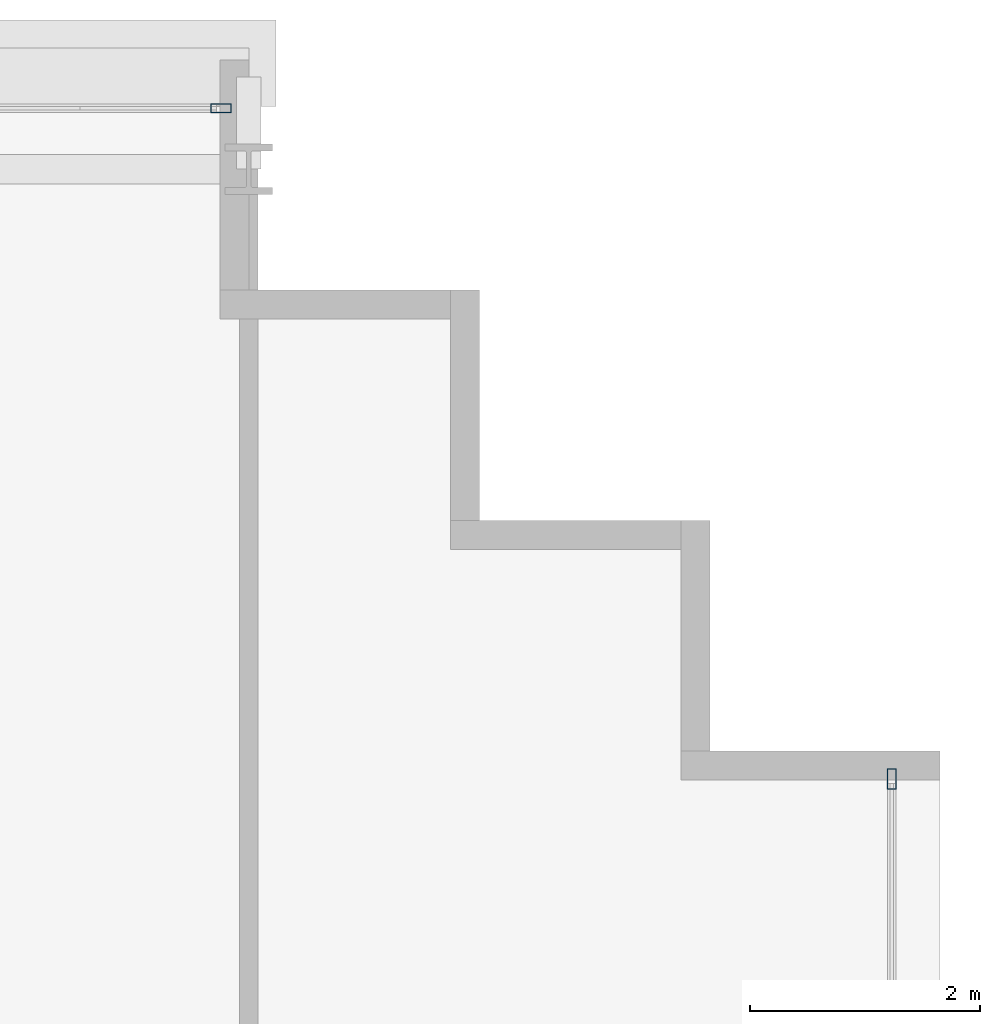
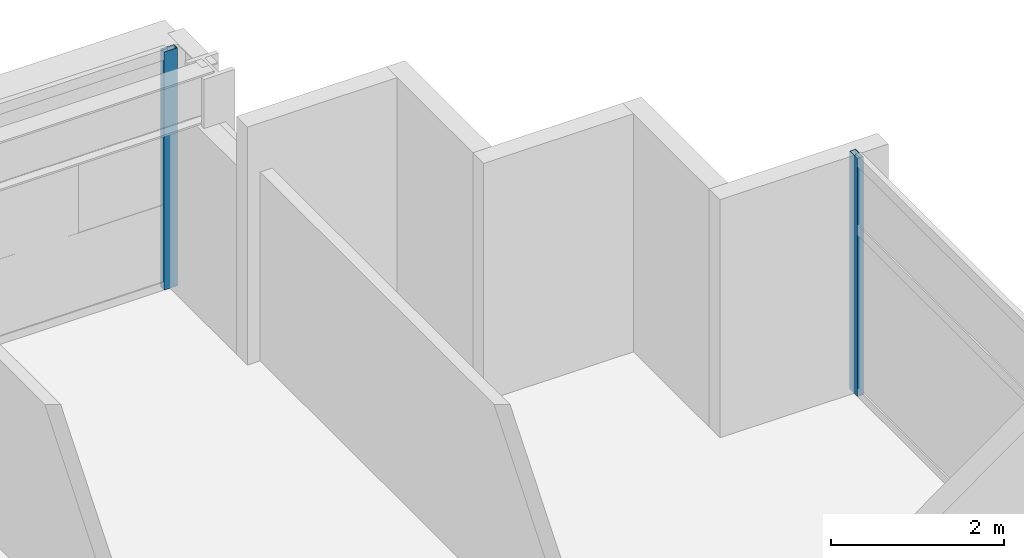
# One storey, part 22 of 36: 2 members, 2 elements without a shape of their own.
"""IFC4 building model written with IfcOpenShell, lengths in metres."""

from ifc_helpers import new_model, si_unit, direction, frame, origin, origin_2d, place, context, subcontext, project, spatial, hollow_rectangle, extrude, source, transform, mapped, material, layer, layer_set, material_profile, profile_set, type_object, element, aggregate, save


model = new_model("IFC4")

# Units and contexts
model_context = context("Model", 3, precision=1e-05, world=origin(), true_north=direction((0.0, 1.0)))
body_context = subcontext(model_context, "Body", "Model", "MODEL_VIEW")
ifc_project = project(units=[si_unit("LENGTHUNIT", "METRE"), si_unit("AREAUNIT", "SQUARE_METRE"), si_unit("VOLUMEUNIT", "CUBIC_METRE"), si_unit("PLANEANGLEUNIT", "RADIAN"), si_unit("MASSUNIT", "GRAM", prefix="KILO")], contexts=[model_context])

# Site, building, storey
site_placement = place(None, origin())
site = spatial("IfcSite", under=ifc_project, at=site_placement, CompositionType="ELEMENT")
building_placement = place(site_placement, origin())
building = spatial("IfcBuilding", under=site, at=building_placement, Name="Ocotamira Hotel", CompositionType="ELEMENT")
storey_placement = place(building_placement, frame((0.0, 0.0, 133.199951171875)))
storey = spatial("IfcBuildingStorey", under=building, at=storey_placement, Name="L33", CompositionType="ELEMENT", Elevation=133.199951171875)

# Curtain wall, member
ifc_material_1 = material(Name="Anodised pale-metal aluminium and solar glass", Category="aluminium")
ifc_layer = layer(ifc_material_1, 0.179931640625)
ifc_layer_set = layer_set([ifc_layer], Name="Anodised pale-metal aluminium and solar glass")
curtain_wall_type = type_object("IfcCurtainWallType", Name="CW-SYS3-Z2", PredefinedType="NOTDEFINED", material=ifc_layer_set)
curtain_wall_1_placement = place(storey_placement, origin())
curtain_wall_1 = element("IfcCurtainWall", 1, at=curtain_wall_1_placement, inside=storey, type_object=curtain_wall_type, Name="L33 Curtain Wall CW-3 CW-L33-N", PredefinedType="NOTDEFINED")
ifc_material_2 = material(Name="Anodised pale-metal aluminium 6063-T6", Category="aluminium")
ifc_material_profile = material_profile(ifc_material_2, hollow_rectangle(XDim=0.080078125, YDim=0.179931640625, WallThickness=0.006103515625, at=origin_2d()), Name="HSS180X80X6")
ifc_profile_set = profile_set([ifc_material_profile], Name="Anodised pale-metal aluminium 6063-T6")
member_type = type_object("IfcMemberType", Name="CWM-180X75", PredefinedType="MULLION", material=ifc_profile_set)
shared_shape = source(origin(), body_context, "Body", "SweptSolid", [
    extrude(hollow_rectangle(XDim=0.080078125, YDim=0.179931640625, WallThickness=0.006103515625, at=origin_2d()), origin(), (0.0, 0.0, 1.0), 3.360107421875),
])
member_1_placement = place(storey_placement, frame((49.760009765625, 49.580078125, 0.0), z_axis=(0.0, 0.0, 1.0), x_axis=(0.0, 1.0, 0.0)))
member_1 = element("IfcMember", 2, at=member_1_placement, type_object=member_type, Name="CW-3 mullion 10", PredefinedType="MULLION", context=body_context, shape_type="MappedRepresentation", body=[
    mapped(shared_shape, transform((0.0, 0.0, 0.0), scale=1.0)),
])
aggregate(curtain_wall_1, [member_1])

curtain_wall_2_placement = place(storey_placement, origin())
curtain_wall_2 = element("IfcCurtainWall", 3, at=curtain_wall_2_placement, inside=storey, type_object=curtain_wall_type, Name="L33 Curtain Wall CW-3 CW-L33-E", PredefinedType="NOTDEFINED")
member_2_placement = place(storey_placement, frame((55.580078125, 43.760009765625, 0.0), z_axis=(0.0, 0.0, 1.0), x_axis=(-1.0, 0.0, 0.0)))
member_2 = element("IfcMember", 4, at=member_2_placement, type_object=member_type, Name="CW-3 mullion 8", PredefinedType="MULLION", context=body_context, shape_type="MappedRepresentation", body=[
    mapped(shared_shape, transform((0.0, 0.0, 0.0), scale=1.0)),
])
aggregate(curtain_wall_2, [member_2])

save(model, "model.ifc")
